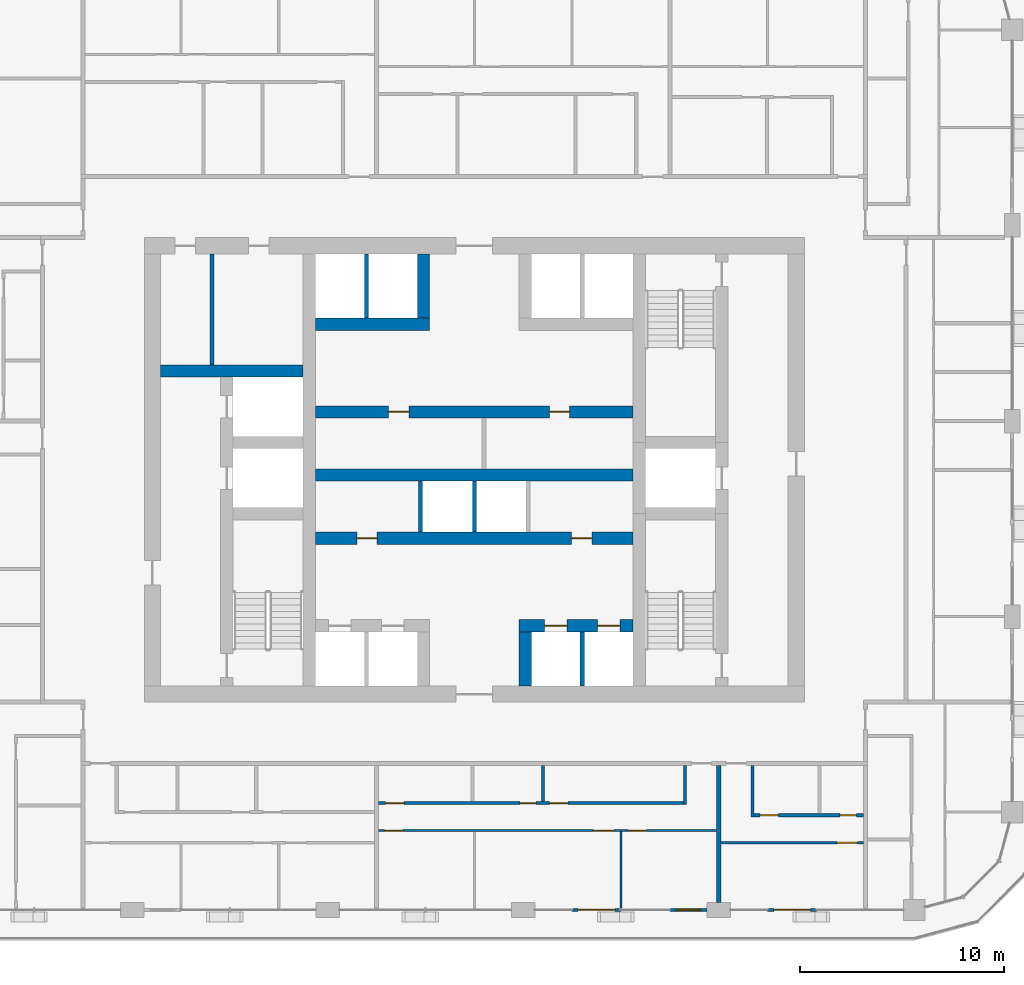
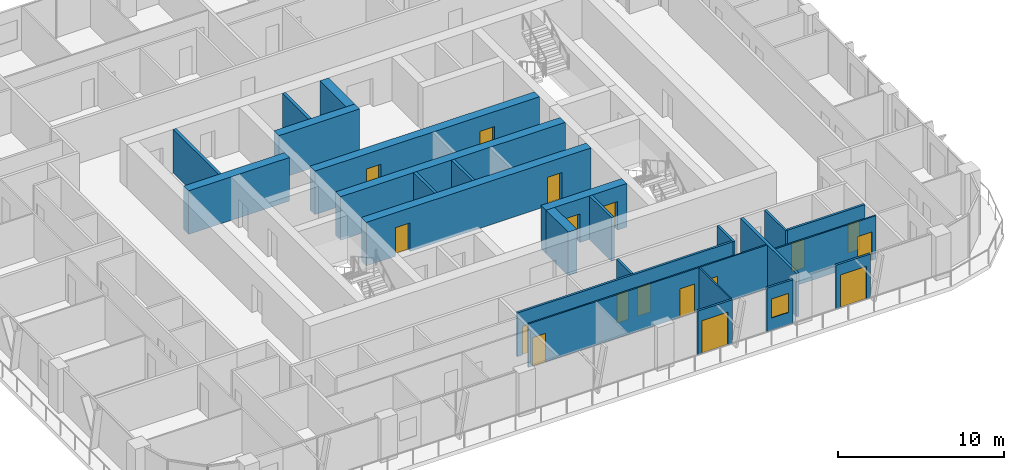
# One storey, part 11 of 22: 25 walls, 17 doors, 1 window, 18 openings.
"""IFC4 building model written with IfcOpenShell, lengths in metres."""

from ifc_helpers import new_model, si_unit, direction, frame, frame_2d, origin, place, context, subcontext, project, spatial, rectangle, extrude, material, layer, layer_set, type_object, element, fill, save


model = new_model("IFC4")

# Units and contexts
model_context = context("Model", 3, precision=1e-05, world=origin(), true_north=direction((0.0, 1.0)))
body_context = subcontext(model_context, "Body", "Model", "MODEL_VIEW")
ifc_project = project(units=[si_unit("LENGTHUNIT", "METRE"), si_unit("AREAUNIT", "SQUARE_METRE"), si_unit("VOLUMEUNIT", "CUBIC_METRE"), si_unit("PLANEANGLEUNIT", "RADIAN"), si_unit("MASSUNIT", "GRAM", prefix="KILO")], contexts=[model_context])

# Site, building, storey
site_placement = place(None, origin())
site = spatial("IfcSite", under=ifc_project, at=site_placement, CompositionType="ELEMENT")
building_placement = place(site_placement, origin())
building = spatial("IfcBuilding", under=site, at=building_placement, Name="Madar Terraces", CompositionType="ELEMENT")
storey_placement = place(building_placement, frame((0.0, 0.0, 119.10009765625)))
storey = spatial("IfcBuildingStorey", under=building, at=storey_placement, Name="L30", CompositionType="ELEMENT", Elevation=119.10009765625)

# Wall
ifc_material_1 = material(Name="Concrete C70/85", Category="concrete")
ifc_layer_1 = layer(ifc_material_1, 0.60009765625)
ifc_layer_set_1 = layer_set([ifc_layer_1], Name="Concrete C70/85 (CIW3 RC wall 600)")
wall_type_1 = type_object("IfcWallType", Name="CIW3 RC wall 600", PredefinedType="SHEAR", material=ifc_layer_set_1)
wall_1_placement = place(storey_placement, frame((15.800048828125, 31.25, 0.0), z_axis=(0.0, 0.0, 1.0), x_axis=(1.0, 0.0, 0.0)))
element("IfcWall", 1, at=wall_1_placement, inside=storey, type_object=wall_type_1, Name="CORE SHAFT WALL", PredefinedType="SHEAR", context=body_context, shape_type="SweptSolid", body=[
    extrude(rectangle(XDim=7.0, YDim=0.60009765625, at=frame_2d((3.5, 0.0))), origin(), (0.0, 0.0, 1.0), 3.199951171875),
])

# Wall, openings, doors
wall_2_placement = place(storey_placement, frame((33.39990234375, 18.75, 0.0), z_axis=(0.0, 0.0, 1.0), x_axis=(1.0, 0.0, 0.0)))
wall_2 = element("IfcWall", 2, at=wall_2_placement, inside=storey, type_object=wall_type_1, Name="CORE SHAFT WALL", PredefinedType="SHEAR", context=body_context, shape_type="SweptSolid", body=[
    extrude(rectangle(XDim=5.60009765625, YDim=0.60009765625, at=frame_2d((2.800048828125, 0.0))), origin(), (0.0, 0.0, 1.0), 3.199951171875),
])
opening_1_placement = place(wall_2_placement, frame((1.25, 0.0, 0.0)))
opening_1 = element("IfcOpeningElement", 3, at=opening_1_placement, cuts=wall_2, Name="Opening LD", PredefinedType="OPENING", context=body_context, shape_type="SweptSolid", body=[
    extrude(rectangle(XDim=1.10009765625, YDim=2.10009765625, at=frame_2d((0.550048828125, 1.050048828125))), frame((0.0, 0.31005859375, 0.0), z_axis=(0.0, -1.0, 0.0), x_axis=(1.0, 0.0, 0.0)), (0.0, 0.0, 1.0), 0.6201171875),
])
opening_2_placement = place(wall_2_placement, frame((3.85009765625, 0.0, 0.0)))
opening_2 = element("IfcOpeningElement", 4, at=opening_2_placement, cuts=wall_2, Name="Opening LD", PredefinedType="OPENING", context=body_context, shape_type="SweptSolid", body=[
    extrude(rectangle(XDim=1.10009765625, YDim=2.10009765625, at=frame_2d((0.550048828125, 1.050048828125))), frame((0.0, 0.31005859375, 0.0), z_axis=(0.0, -1.0, 0.0), x_axis=(1.0, 0.0, 0.0)), (0.0, 0.0, 1.0), 0.6201171875),
])
ifc_material_2 = material(Name="Stainless steel panel", Category="steel")
door_type_1 = type_object("IfcDoorType", Name="Lift landing door 1100 x 2100", OperationType="DOUBLE_DOOR_SLIDING", PredefinedType="DOOR", material=ifc_material_2)
door_1_placement = place(opening_1_placement, origin())
door_1 = element("IfcDoor", 5, at=door_1_placement, inside=storey, type_object=door_type_1, Name="LIFT LANDING DOOR", OperationType="DOUBLE_DOOR_SLIDING", OverallHeight=2.10009765625, OverallWidth=1.10009765625, PredefinedType="DOOR", context=body_context, shape_type="SweptSolid", body=[
    extrude(rectangle(XDim=1.10009765625, YDim=2.10009765625, at=frame_2d((0.550048828125, 1.050048828125))), frame((0.0, 0.02490234375, 0.0), z_axis=(0.0, -1.0, 0.0), x_axis=(1.0, 0.0, 0.0)), (0.0, 0.0, 1.0), 0.050048828125),
])
fill(opening_1, door_1)
door_2_placement = place(opening_2_placement, origin())
door_2 = element("IfcDoor", 6, at=door_2_placement, inside=storey, type_object=door_type_1, Name="LIFT LANDING DOOR", OperationType="DOUBLE_DOOR_SLIDING", OverallHeight=2.10009765625, OverallWidth=1.10009765625, PredefinedType="DOOR", context=body_context, shape_type="SweptSolid", body=[
    extrude(rectangle(XDim=1.10009765625, YDim=2.10009765625, at=frame_2d((0.550048828125, 1.050048828125))), frame((0.0, 0.02490234375, 0.0), z_axis=(0.0, -1.0, 0.0), x_axis=(1.0, 0.0, 0.0)), (0.0, 0.0, 1.0), 0.050048828125),
])
fill(opening_2, door_2)

wall_3_placement = place(storey_placement, frame((23.39990234375, 23.050048828125, 0.0), z_axis=(0.0, 0.0, 1.0), x_axis=(1.0, 0.0, 0.0)))
wall_3 = element("IfcWall", 7, at=wall_3_placement, inside=storey, type_object=wall_type_1, Name="CORE SHAFT WALL", PredefinedType="SHEAR", context=body_context, shape_type="SweptSolid", body=[
    extrude(rectangle(XDim=15.60009765625, YDim=0.60009765625, at=frame_2d((7.800048828125, 0.0))), origin(), (0.0, 0.0, 1.0), 3.199951171875),
])
opening_3_placement = place(wall_3_placement, frame((2.033447265625, 0.0, 0.0)))
opening_3 = element("IfcOpeningElement", 8, at=opening_3_placement, cuts=wall_3, Name="Opening KD2", PredefinedType="OPENING", context=body_context, shape_type="SweptSolid", body=[
    extrude(rectangle(XDim=1.0, YDim=2.10009765625, at=frame_2d((0.5, 1.050048828125))), frame((0.0, 0.31005859375, 0.0), z_axis=(0.0, -1.0, 0.0), x_axis=(1.0, 0.0, 0.0)), (0.0, 0.0, 1.0), 0.6201171875),
])
opening_4_placement = place(wall_3_placement, frame((12.566650390625, 0.0, 0.0)))
opening_4 = element("IfcOpeningElement", 9, at=opening_4_placement, cuts=wall_3, Name="Opening KD2", PredefinedType="OPENING", context=body_context, shape_type="SweptSolid", body=[
    extrude(rectangle(XDim=1.0, YDim=2.10009765625, at=frame_2d((0.5, 1.050048828125))), frame((0.0, 0.31005859375, 0.0), z_axis=(0.0, -1.0, 0.0), x_axis=(1.0, 0.0, 0.0)), (0.0, 0.0, 1.0), 0.6201171875),
])
ifc_material_3 = material(Name="Steel door leaf", Category="steel")
door_type_2 = type_object("IfcDoorType", Name="Service room door 1000 x 2100", OperationType="NOTDEFINED", PredefinedType="DOOR", material=ifc_material_3)
door_3_placement = place(opening_3_placement, frame((1.0, 0.0, 0.0), z_axis=(0.0, 0.0, 1.0), x_axis=(-1.0, 0.0, 0.0)))
door_3 = element("IfcDoor", 10, at=door_3_placement, inside=storey, type_object=door_type_2, Name="SERVICE ROOM DOOR", OperationType="SINGLE_SWING_LEFT", OverallHeight=2.10009765625, OverallWidth=1.0, PredefinedType="DOOR", context=body_context, shape_type="SweptSolid", body=[
    extrude(rectangle(XDim=1.0, YDim=2.10009765625, at=frame_2d((0.5, 1.050048828125))), frame((0.0, 0.02490234375, 0.0), z_axis=(0.0, -1.0, 0.0), x_axis=(1.0, 0.0, 0.0)), (0.0, 0.0, 1.0), 0.050048828125),
])
fill(opening_3, door_3)
door_4_placement = place(opening_4_placement, frame((1.0, 0.0, 0.0), z_axis=(0.0, 0.0, 1.0), x_axis=(-1.0, 0.0, 0.0)))
door_4 = element("IfcDoor", 11, at=door_4_placement, inside=storey, type_object=door_type_2, Name="SERVICE ROOM DOOR", OperationType="SINGLE_SWING_RIGHT", OverallHeight=2.10009765625, OverallWidth=1.0, PredefinedType="DOOR", context=body_context, shape_type="SweptSolid", body=[
    extrude(rectangle(XDim=1.0, YDim=2.10009765625, at=frame_2d((0.5, 1.050048828125))), frame((0.0, 0.02490234375, 0.0), z_axis=(0.0, -1.0, 0.0), x_axis=(1.0, 0.0, 0.0)), (0.0, 0.0, 1.0), 0.050048828125),
])
fill(opening_4, door_4)

# Wall
wall_4_placement = place(storey_placement, frame((23.39990234375, 26.14990234375, 0.0), z_axis=(0.0, 0.0, 1.0), x_axis=(1.0, 0.0, 0.0)))
element("IfcWall", 12, at=wall_4_placement, inside=storey, type_object=wall_type_1, Name="CORE SHAFT WALL", PredefinedType="SHEAR", context=body_context, shape_type="SweptSolid", body=[
    extrude(rectangle(XDim=15.60009765625, YDim=0.60009765625, at=frame_2d((7.800048828125, 0.0))), origin(), (0.0, 0.0, 1.0), 3.199951171875),
])

# Wall, openings, doors
wall_5_placement = place(storey_placement, frame((23.39990234375, 29.25, 0.0), z_axis=(0.0, 0.0, 1.0), x_axis=(1.0, 0.0, 0.0)))
wall_5 = element("IfcWall", 13, at=wall_5_placement, inside=storey, type_object=wall_type_1, Name="CORE SHAFT WALL", PredefinedType="SHEAR", context=body_context, shape_type="SweptSolid", body=[
    extrude(rectangle(XDim=15.60009765625, YDim=0.60009765625, at=frame_2d((7.800048828125, 0.0))), origin(), (0.0, 0.0, 1.0), 3.199951171875),
])
opening_5_placement = place(wall_5_placement, frame((3.583984375, 0.0, 0.0)))
opening_5 = element("IfcOpeningElement", 14, at=opening_5_placement, cuts=wall_5, Name="Opening KD2", PredefinedType="OPENING", context=body_context, shape_type="SweptSolid", body=[
    extrude(rectangle(XDim=1.0, YDim=2.10009765625, at=frame_2d((0.5, 1.050048828125))), frame((0.0, 0.31005859375, 0.0), z_axis=(0.0, -1.0, 0.0), x_axis=(1.0, 0.0, 0.0)), (0.0, 0.0, 1.0), 0.6201171875),
])
opening_6_placement = place(wall_5_placement, frame((11.48388671875, 0.0, 0.0)))
opening_6 = element("IfcOpeningElement", 15, at=opening_6_placement, cuts=wall_5, Name="Opening KD2", PredefinedType="OPENING", context=body_context, shape_type="SweptSolid", body=[
    extrude(rectangle(XDim=1.0, YDim=2.10009765625, at=frame_2d((0.5, 1.050048828125))), frame((0.0, 0.31005859375, 0.0), z_axis=(0.0, -1.0, 0.0), x_axis=(1.0, 0.0, 0.0)), (0.0, 0.0, 1.0), 0.6201171875),
])
door_5_placement = place(opening_5_placement, origin())
door_5 = element("IfcDoor", 16, at=door_5_placement, inside=storey, type_object=door_type_2, Name="SERVICE ROOM DOOR", OperationType="SINGLE_SWING_LEFT", OverallHeight=2.10009765625, OverallWidth=1.0, PredefinedType="DOOR", context=body_context, shape_type="SweptSolid", body=[
    extrude(rectangle(XDim=1.0, YDim=2.10009765625, at=frame_2d((0.5, 1.050048828125))), frame((0.0, 0.02490234375, 0.0), z_axis=(0.0, -1.0, 0.0), x_axis=(1.0, 0.0, 0.0)), (0.0, 0.0, 1.0), 0.050048828125),
])
fill(opening_5, door_5)
door_6_placement = place(opening_6_placement, origin())
door_6 = element("IfcDoor", 17, at=door_6_placement, inside=storey, type_object=door_type_2, Name="SERVICE ROOM DOOR", OperationType="SINGLE_SWING_RIGHT", OverallHeight=2.10009765625, OverallWidth=1.0, PredefinedType="DOOR", context=body_context, shape_type="SweptSolid", body=[
    extrude(rectangle(XDim=1.0, YDim=2.10009765625, at=frame_2d((0.5, 1.050048828125))), frame((0.0, 0.02490234375, 0.0), z_axis=(0.0, -1.0, 0.0), x_axis=(1.0, 0.0, 0.0)), (0.0, 0.0, 1.0), 0.050048828125),
])
fill(opening_6, door_6)

# Walls
wall_6_placement = place(storey_placement, frame((23.39990234375, 33.550048828125, 0.0), z_axis=(0.0, 0.0, 1.0), x_axis=(1.0, 0.0, 0.0)))
element("IfcWall", 18, at=wall_6_placement, inside=storey, type_object=wall_type_1, Name="CORE SHAFT WALL", PredefinedType="SHEAR", context=body_context, shape_type="SweptSolid", body=[
    extrude(rectangle(XDim=5.60009765625, YDim=0.60009765625, at=frame_2d((2.800048828125, 0.0))), origin(), (0.0, 0.0, 1.0), 3.199951171875),
])
wall_7_placement = place(storey_placement, frame((33.699951171875, 15.800048828125, 0.0), z_axis=(0.0, 0.0, 1.0), x_axis=(0.0, 1.0, 0.0)))
element("IfcWall", 19, at=wall_7_placement, inside=storey, type_object=wall_type_1, Name="CORE SHAFT WALL", PredefinedType="SHEAR", context=body_context, shape_type="SweptSolid", body=[
    extrude(rectangle(XDim=2.64990234375, YDim=0.60009765625, at=frame_2d((1.324951171875, 0.0))), origin(), (0.0, 0.0, 1.0), 3.199951171875),
])
wall_8_placement = place(storey_placement, frame((28.699951171875, 33.85009765625, 0.0), z_axis=(0.0, 0.0, 1.0), x_axis=(0.0, 1.0, 0.0)))
element("IfcWall", 20, at=wall_8_placement, inside=storey, type_object=wall_type_1, Name="CORE SHAFT WALL", PredefinedType="SHEAR", context=body_context, shape_type="SweptSolid", body=[
    extrude(rectangle(XDim=3.14990234375, YDim=0.60009765625, at=frame_2d((1.574951171875, 0.0))), origin(), (0.0, 0.0, 1.0), 3.199951171875),
])
ifc_material_4 = material(Name="Masonry blockwork", Category="masonry")
ifc_layer_2 = layer(ifc_material_4, 0.199951171875)
ifc_layer_set_2 = layer_set([ifc_layer_2], Name="Core partition 200 blockwork")
wall_type_2 = type_object("IfcWallType", Name="Core partition 200 blockwork", PredefinedType="PARTITIONING", material=ifc_layer_set_2)
wall_9_placement = place(storey_placement, frame((18.320068359375, 31.550048828125, 0.0), z_axis=(0.0, 0.0, 1.0), x_axis=(0.0, 1.0, 0.0)))
element("IfcWall", 21, at=wall_9_placement, inside=storey, type_object=wall_type_2, Name="SERVICE ROOM PARTITION", PredefinedType="PARTITIONING", context=body_context, shape_type="SweptSolid", body=[
    extrude(rectangle(XDim=5.449951171875, YDim=0.199951171875, at=frame_2d((2.72509765625, 0.0))), origin(), (0.0, 0.0, 1.0), 3.199951171875),
])
ifc_material_5 = material(Name="Concrete C40/50", Category="concrete")
ifc_layer_3 = layer(ifc_material_5, 0.199951171875)
ifc_layer_set_3 = layer_set([ifc_layer_3], Name="Core shaft dividing wall 200 C40/50")
wall_type_3 = type_object("IfcWallType", Name="Core shaft dividing wall 200 C40/50", PredefinedType="SOLIDWALL", material=ifc_layer_set_3)
for number, where, z_axis, x_axis, name in (
    (22, (28.566650390625, 23.35009765625, 0.0), (0.0, 0.0, 1.0), (0.0, 1.0, 0.0), "SHAFT DIVIDING WALL"),
    (23, (31.199951171875, 23.35009765625, 0.0), (0.0, 0.0, 1.0), (0.0, 1.0, 0.0), "SHAFT DIVIDING WALL"),
):
    element("IfcWall", number, at=place(storey_placement, frame(where, z_axis=z_axis, x_axis=x_axis)), inside=storey, type_object=wall_type_3, Name=name, PredefinedType="SOLIDWALL", context=body_context, shape_type="SweptSolid", body=[
        extrude(rectangle(XDim=2.5, YDim=0.199951171875, at=frame_2d((1.25, 0.0))), origin(), (0.0, 0.0, 1.0), 3.199951171875),
    ])
wall_10_placement = place(storey_placement, frame((25.89990234375, 33.85009765625, 0.0), z_axis=(0.0, 0.0, 1.0), x_axis=(0.0, 1.0, 0.0)))
element("IfcWall", 24, at=wall_10_placement, inside=storey, type_object=wall_type_3, Name="SHAFT DIVIDING WALL", PredefinedType="SOLIDWALL", context=body_context, shape_type="SweptSolid", body=[
    extrude(rectangle(XDim=3.14990234375, YDim=0.199951171875, at=frame_2d((1.574951171875, 0.0))), origin(), (0.0, 0.0, 1.0), 3.199951171875),
])
wall_11_placement = place(storey_placement, frame((36.5, 15.800048828125, 0.0), z_axis=(0.0, 0.0, 1.0), x_axis=(0.0, 1.0, 0.0)))
element("IfcWall", 25, at=wall_11_placement, inside=storey, type_object=wall_type_3, Name="SHAFT DIVIDING WALL", PredefinedType="SOLIDWALL", context=body_context, shape_type="SweptSolid", body=[
    extrude(rectangle(XDim=2.64990234375, YDim=0.199951171875, at=frame_2d((1.324951171875, 0.0))), origin(), (0.0, 0.0, 1.0), 3.199951171875),
])

# Wall, opening, door
ifc_material_6 = material(Name="Aluminium composite panel, black, over insulated backing", Category="aluminium")
ifc_layer_4 = layer(ifc_material_6, 0.14990234375)
ifc_layer_set_4 = layer_set([ifc_layer_4], Name="Facade bay panel 150")
wall_type_4 = type_object("IfcWallType", Name="Facade bay panel 150", PredefinedType="SOLIDWALL", material=ifc_layer_set_4)
wall_12_placement = place(storey_placement, frame((36.0, 4.800048828125, 0.0), z_axis=(0.0, 0.0, 1.0), x_axis=(1.0, 0.0, 0.0)))
wall_12 = element("IfcWall", 26, at=wall_12_placement, inside=storey, type_object=wall_type_4, Name="Facade bay panel", PredefinedType="SOLIDWALL", context=body_context, shape_type="SweptSolid", body=[
    extrude(rectangle(XDim=2.39990234375, YDim=0.14990234375, at=frame_2d((1.199951171875, 0.0))), origin(), (0.0, 0.0, 1.0), 3.199951171875),
])
opening_7_placement = place(wall_12_placement, frame((0.300048828125, 0.0, 0.0)))
opening_7 = element("IfcOpeningElement", 27, at=opening_7_placement, cuts=wall_12, Name="Opening ED1", PredefinedType="OPENING", context=body_context, shape_type="SweptSolid", body=[
    extrude(rectangle(XDim=1.800048828125, YDim=2.39990234375, at=frame_2d((0.89990234375, 1.199951171875))), frame((0.0, 0.0849609375, 0.0), z_axis=(0.0, -1.0, 0.0), x_axis=(1.0, 0.0, 0.0)), (0.0, 0.0, 1.0), 0.169921875),
])
ifc_material_7 = material(Name="Glass, clear, with black aluminium frame", Category="aluminium")
door_type_3 = type_object("IfcDoorType", Name="Balcony and terrace sliding door 1800 x 2400", OperationType="SLIDING_TO_LEFT", PredefinedType="DOOR", material=ifc_material_7)
door_7_placement = place(opening_7_placement, origin())
door_7 = element("IfcDoor", 28, at=door_7_placement, inside=storey, type_object=door_type_3, Name="Balcony door", OperationType="SLIDING_TO_LEFT", OverallHeight=2.39990234375, OverallWidth=1.800048828125, PredefinedType="DOOR", context=body_context, shape_type="SweptSolid", body=[
    extrude(rectangle(XDim=1.800048828125, YDim=2.39990234375, at=frame_2d((0.89990234375, 1.199951171875))), frame((0.0, 0.02490234375, 0.0), z_axis=(0.0, -1.0, 0.0), x_axis=(1.0, 0.0, 0.0)), (0.0, 0.0, 1.0), 0.050048828125),
])
fill(opening_7, door_7)

# Wall, opening, window
wall_13_placement = place(storey_placement, frame((40.800048828125, 4.800048828125, 0.0), z_axis=(0.0, 0.0, 1.0), x_axis=(1.0, 0.0, 0.0)))
wall_13 = element("IfcWall", 29, at=wall_13_placement, inside=storey, type_object=wall_type_4, Name="Facade bay panel", PredefinedType="SOLIDWALL", context=body_context, shape_type="SweptSolid", body=[
    extrude(rectangle(XDim=1.824951171875, YDim=0.14990234375, at=frame_2d((0.91259765625, 0.0))), origin(), (0.0, 0.0, 1.0), 3.199951171875),
])
opening_8_placement = place(wall_13_placement, frame((0.3125, 0.0, 0.89990234375)))
opening_8 = element("IfcOpeningElement", 30, at=opening_8_placement, cuts=wall_13, Name="Opening W1", PredefinedType="OPENING", context=body_context, shape_type="SweptSolid", body=[
    extrude(rectangle(XDim=1.199951171875, YDim=1.39990234375, at=frame_2d((0.60009765625, 0.699951171875))), frame((0.0, 0.0849609375, 0.0), z_axis=(0.0, -1.0, 0.0), x_axis=(1.0, 0.0, 0.0)), (0.0, 0.0, 1.0), 0.169921875),
])
ifc_material_8 = material(Name="Glass, clear, with black aluminium frame", Category="aluminium")
window_type = type_object("IfcWindowType", Name="Vent window 1200 x 1400", PartitioningType="SINGLE_PANEL", PredefinedType="WINDOW", material=ifc_material_8)
window_placement = place(opening_8_placement, origin())
window = element("IfcWindow", 31, at=window_placement, inside=storey, type_object=window_type, Name="Operable vent window", OverallHeight=1.39990234375, OverallWidth=1.199951171875, PartitioningType="SINGLE_PANEL", PredefinedType="WINDOW", context=body_context, shape_type="SweptSolid", body=[
    extrude(rectangle(XDim=1.199951171875, YDim=1.39990234375, at=frame_2d((0.60009765625, 0.699951171875))), frame((0.0, 0.030029296875, 0.0), z_axis=(0.0, -1.0, 0.0), x_axis=(1.0, 0.0, 0.0)), (0.0, 0.0, 1.0), 0.06005859375),
])
fill(opening_8, window)

# Wall, opening, door
wall_14_placement = place(storey_placement, frame((45.60009765625, 4.800048828125, 0.0), z_axis=(0.0, 0.0, 1.0), x_axis=(1.0, 0.0, 0.0)))
wall_14 = element("IfcWall", 32, at=wall_14_placement, inside=storey, type_object=wall_type_4, Name="Facade bay panel", PredefinedType="SOLIDWALL", context=body_context, shape_type="SweptSolid", body=[
    extrude(rectangle(XDim=2.39990234375, YDim=0.14990234375, at=frame_2d((1.199951171875, 0.0))), origin(), (0.0, 0.0, 1.0), 3.199951171875),
])
opening_9_placement = place(wall_14_placement, frame((0.300048828125, 0.0, 0.0)))
opening_9 = element("IfcOpeningElement", 33, at=opening_9_placement, cuts=wall_14, Name="Opening ED1", PredefinedType="OPENING", context=body_context, shape_type="SweptSolid", body=[
    extrude(rectangle(XDim=1.800048828125, YDim=2.39990234375, at=frame_2d((0.89990234375, 1.199951171875))), frame((0.0, 0.0849609375, 0.0), z_axis=(0.0, -1.0, 0.0), x_axis=(1.0, 0.0, 0.0)), (0.0, 0.0, 1.0), 0.169921875),
])
door_8_placement = place(opening_9_placement, origin())
door_8 = element("IfcDoor", 34, at=door_8_placement, inside=storey, type_object=door_type_3, Name="Balcony door", OperationType="SLIDING_TO_RIGHT", OverallHeight=2.39990234375, OverallWidth=1.800048828125, PredefinedType="DOOR", context=body_context, shape_type="SweptSolid", body=[
    extrude(rectangle(XDim=1.800048828125, YDim=2.39990234375, at=frame_2d((0.89990234375, 1.199951171875))), frame((0.0, 0.02490234375, 0.0), z_axis=(0.0, -1.0, 0.0), x_axis=(1.0, 0.0, 0.0)), (0.0, 0.0, 1.0), 0.050048828125),
])
fill(opening_9, door_8)

# Wall
ifc_material_9 = material(Name="Gypsum board on steel studs", Category="steel")
ifc_layer_5 = layer(ifc_material_9, 0.10009765625)
ifc_layer_set_5 = layer_set([ifc_layer_5], Name="Flat partition 100")
wall_type_5 = type_object("IfcWallType", Name="Flat partition 100", PredefinedType="PARTITIONING", material=ifc_layer_set_5)
wall_15_placement = place(storey_placement, frame((38.39990234375, 8.64990234375, 0.0), z_axis=(0.0, 0.0, 1.0), x_axis=(0.0, -1.0, 0.0)))
element("IfcWall", 35, at=wall_15_placement, inside=storey, type_object=wall_type_5, Name="Flat partition 100", PredefinedType="PARTITIONING", context=body_context, shape_type="SweptSolid", body=[
    extrude(rectangle(XDim=3.75, YDim=0.10009765625, at=frame_2d((1.875, 0.0))), origin(), (0.0, 0.0, 1.0), 3.199951171875),
])

# Wall, openings, doors
wall_16_placement = place(storey_placement, frame((43.10009765625, 8.699951171875, 0.0), z_axis=(0.0, 0.0, 1.0), x_axis=(-1.0, 0.0, 0.0)))
wall_16 = element("IfcWall", 36, at=wall_16_placement, inside=storey, type_object=wall_type_5, Name="Flat partition 100", PredefinedType="PARTITIONING", context=body_context, shape_type="SweptSolid", body=[
    extrude(rectangle(XDim=16.60009765625, YDim=0.10009765625, at=frame_2d((8.300048828125, 0.0))), origin(), (0.0, 0.0, 1.0), 3.199951171875),
])
opening_10_placement = place(wall_16_placement, frame((3.449951171875, 0.0, 0.0)))
opening_10 = element("IfcOpeningElement", 37, at=opening_10_placement, cuts=wall_16, Name="Opening D2", PredefinedType="OPENING", context=body_context, shape_type="SweptSolid", body=[
    extrude(rectangle(XDim=0.89990234375, YDim=2.10009765625, at=frame_2d((0.449951171875, 1.050048828125))), frame((0.0, 0.06005859375, 0.0), z_axis=(0.0, -1.0, 0.0), x_axis=(1.0, 0.0, 0.0)), (0.0, 0.0, 1.0), 0.1201171875),
])
opening_11_placement = place(wall_16_placement, frame((5.050048828125, 0.0, 0.0)))
opening_11 = element("IfcOpeningElement", 38, at=opening_11_placement, cuts=wall_16, Name="Opening D3", PredefinedType="OPENING", context=body_context, shape_type="SweptSolid", body=[
    extrude(rectangle(XDim=1.0, YDim=2.10009765625, at=frame_2d((0.5, 1.050048828125))), frame((0.0, 0.06005859375, 0.0), z_axis=(0.0, -1.0, 0.0), x_axis=(1.0, 0.0, 0.0)), (0.0, 0.0, 1.0), 0.1201171875),
])
opening_12_placement = place(wall_16_placement, frame((15.39990234375, 0.0, 0.0)))
opening_12 = element("IfcOpeningElement", 39, at=opening_12_placement, cuts=wall_16, Name="Opening D2", PredefinedType="OPENING", context=body_context, shape_type="SweptSolid", body=[
    extrude(rectangle(XDim=0.89990234375, YDim=2.10009765625, at=frame_2d((0.449951171875, 1.050048828125))), frame((0.0, 0.06005859375, 0.0), z_axis=(0.0, -1.0, 0.0), x_axis=(1.0, 0.0, 0.0)), (0.0, 0.0, 1.0), 0.1201171875),
])
ifc_material_10 = material(Name="Timber door leaf", Category="wood")
door_type_4 = type_object("IfcDoorType", Name="Flat living room door 1000", OperationType="NOTDEFINED", PredefinedType="DOOR", material=ifc_material_10)
door_9_placement = place(opening_11_placement, origin())
door_9 = element("IfcDoor", 40, at=door_9_placement, inside=storey, type_object=door_type_4, Name="Flat living room door 1000", OperationType="SINGLE_SWING_LEFT", OverallHeight=2.10009765625, OverallWidth=1.0, PredefinedType="DOOR", context=body_context, shape_type="SweptSolid", body=[
    extrude(rectangle(XDim=1.0, YDim=2.10009765625, at=frame_2d((0.5, 1.050048828125))), frame((0.0, 0.02490234375, 0.0), z_axis=(0.0, -1.0, 0.0), x_axis=(1.0, 0.0, 0.0)), (0.0, 0.0, 1.0), 0.050048828125),
])
fill(opening_11, door_9)
ifc_material_11 = material(Name="Timber door leaf", Category="wood")
door_type_5 = type_object("IfcDoorType", Name="Flat room door 900", OperationType="NOTDEFINED", PredefinedType="DOOR", material=ifc_material_11)
door_10_placement = place(opening_10_placement, origin())
door_10 = element("IfcDoor", 41, at=door_10_placement, inside=storey, type_object=door_type_5, Name="Flat room door 900", OperationType="SINGLE_SWING_RIGHT", OverallHeight=2.10009765625, OverallWidth=0.89990234375, PredefinedType="DOOR", context=body_context, shape_type="SweptSolid", body=[
    extrude(rectangle(XDim=0.89990234375, YDim=2.10009765625, at=frame_2d((0.449951171875, 1.050048828125))), frame((0.0, 0.02490234375, 0.0), z_axis=(0.0, -1.0, 0.0), x_axis=(1.0, 0.0, 0.0)), (0.0, 0.0, 1.0), 0.050048828125),
])
fill(opening_10, door_10)
door_11_placement = place(opening_12_placement, origin())
door_11 = element("IfcDoor", 42, at=door_11_placement, inside=storey, type_object=door_type_5, Name="Flat room door 900", OperationType="SINGLE_SWING_RIGHT", OverallHeight=2.10009765625, OverallWidth=0.89990234375, PredefinedType="DOOR", context=body_context, shape_type="SweptSolid", body=[
    extrude(rectangle(XDim=0.89990234375, YDim=2.10009765625, at=frame_2d((0.449951171875, 1.050048828125))), frame((0.0, 0.02490234375, 0.0), z_axis=(0.0, -1.0, 0.0), x_axis=(1.0, 0.0, 0.0)), (0.0, 0.0, 1.0), 0.050048828125),
])
fill(opening_12, door_11)

# Wall, opening, door
wall_17_placement = place(storey_placement, frame((50.300048828125, 8.10009765625, 0.0), z_axis=(0.0, 0.0, 1.0), x_axis=(-1.0, 0.0, 0.0)))
wall_17 = element("IfcWall", 43, at=wall_17_placement, inside=storey, type_object=wall_type_5, Name="Flat partition 100", PredefinedType="PARTITIONING", context=body_context, shape_type="SweptSolid", body=[
    extrude(rectangle(XDim=7.0, YDim=0.10009765625, at=frame_2d((3.5, 0.0))), origin(), (0.0, 0.0, 1.0), 3.199951171875),
])
opening_13_placement = place(wall_17_placement, frame((0.300048828125, 0.0, 0.0)))
opening_13 = element("IfcOpeningElement", 44, at=opening_13_placement, cuts=wall_17, Name="Opening D3", PredefinedType="OPENING", context=body_context, shape_type="SweptSolid", body=[
    extrude(rectangle(XDim=1.0, YDim=2.10009765625, at=frame_2d((0.5, 1.050048828125))), frame((0.0, 0.06005859375, 0.0), z_axis=(0.0, -1.0, 0.0), x_axis=(1.0, 0.0, 0.0)), (0.0, 0.0, 1.0), 0.1201171875),
])
door_12_placement = place(opening_13_placement, origin())
door_12 = element("IfcDoor", 45, at=door_12_placement, inside=storey, type_object=door_type_4, Name="Flat living room door 1000", OperationType="SINGLE_SWING_LEFT", OverallHeight=2.10009765625, OverallWidth=1.0, PredefinedType="DOOR", context=body_context, shape_type="SweptSolid", body=[
    extrude(rectangle(XDim=1.0, YDim=2.10009765625, at=frame_2d((0.5, 1.050048828125))), frame((0.0, 0.02490234375, 0.0), z_axis=(0.0, -1.0, 0.0), x_axis=(1.0, 0.0, 0.0)), (0.0, 0.0, 1.0), 0.050048828125),
])
fill(opening_13, door_12)

# Walls
ifc_material_12 = material(Name="Lightweight blockwork", Category="masonry")
ifc_layer_6 = layer(ifc_material_12, 0.199951171875)
ifc_layer_set_6 = layer_set([ifc_layer_6], Name="Flat party and entrance wall 200")
wall_type_6 = type_object("IfcWallType", Name="Flat party and entrance wall 200", PredefinedType="PARTITIONING", material=ifc_layer_set_6)
wall_18_placement = place(storey_placement, frame((43.199951171875, 11.89990234375, 0.0), z_axis=(0.0, 0.0, 1.0), x_axis=(0.0, -1.0, 0.0)))
element("IfcWall", 46, at=wall_18_placement, inside=storey, type_object=wall_type_6, Name="Flat party and entrance wall 200", PredefinedType="PARTITIONING", context=body_context, shape_type="SweptSolid", body=[
    extrude(rectangle(XDim=6.724853515625, YDim=0.199951171875, at=frame_2d((3.3623046875, 0.0))), origin(), (0.0, 0.0, 1.0), 3.199951171875),
])
ifc_material_13 = material(Name="Lightweight blockwork", Category="masonry")
ifc_layer_7 = layer(ifc_material_13, 0.14990234375)
ifc_layer_set_7 = layer_set([ifc_layer_7], Name="Flat wet-room partition 150")
wall_type_7 = type_object("IfcWallType", Name="Flat wet-room partition 150", PredefinedType="PARTITIONING", material=ifc_layer_set_7)
wall_19_placement = place(storey_placement, frame((34.5634765625, 11.89990234375, 0.0), z_axis=(0.0, 0.0, 1.0), x_axis=(0.0, -1.0, 0.0)))
element("IfcWall", 47, at=wall_19_placement, inside=storey, type_object=wall_type_7, Name="Flat wet-room partition 150", PredefinedType="PARTITIONING", context=body_context, shape_type="SweptSolid", body=[
    extrude(rectangle(XDim=1.77490234375, YDim=0.14990234375, at=frame_2d((0.887451171875, 0.0))), origin(), (0.0, 0.0, 1.0), 3.199951171875),
])
wall_20_placement = place(storey_placement, frame((41.550048828125, 11.89990234375, 0.0), z_axis=(0.0, 0.0, 1.0), x_axis=(0.0, -1.0, 0.0)))
element("IfcWall", 48, at=wall_20_placement, inside=storey, type_object=wall_type_7, Name="Flat wet-room partition 150", PredefinedType="PARTITIONING", context=body_context, shape_type="SweptSolid", body=[
    extrude(rectangle(XDim=1.9248046875, YDim=0.14990234375, at=frame_2d((0.96240234375, 0.0))), origin(), (0.0, 0.0, 1.0), 3.199951171875),
])

# Wall, openings, doors
wall_21_placement = place(storey_placement, frame((26.5, 10.050048828125, 0.0), z_axis=(0.0, 0.0, 1.0), x_axis=(1.0, 0.0, 0.0)))
wall_21 = element("IfcWall", 49, at=wall_21_placement, inside=storey, type_object=wall_type_7, Name="Flat wet-room partition 150", PredefinedType="PARTITIONING", context=body_context, shape_type="SweptSolid", body=[
    extrude(rectangle(XDim=14.97509765625, YDim=0.14990234375, at=frame_2d((7.487548828125, 0.0))), origin(), (0.0, 0.0, 1.0), 3.199951171875),
])
opening_14_placement = place(wall_21_placement, frame((8.388427734375, 0.0, 0.0)))
opening_14 = element("IfcOpeningElement", 50, at=opening_14_placement, cuts=wall_21, Name="Opening D2", PredefinedType="OPENING", context=body_context, shape_type="SweptSolid", body=[
    extrude(rectangle(XDim=0.89990234375, YDim=2.10009765625, at=frame_2d((0.449951171875, 1.050048828125))), frame((0.0, 0.0849609375, 0.0), z_axis=(0.0, -1.0, 0.0), x_axis=(1.0, 0.0, 0.0)), (0.0, 0.0, 1.0), 0.169921875),
])
opening_15_placement = place(wall_21_placement, frame((6.9384765625, 0.0, 0.0)))
opening_15 = element("IfcOpeningElement", 51, at=opening_15_placement, cuts=wall_21, Name="Opening D4", PredefinedType="OPENING", context=body_context, shape_type="SweptSolid", body=[
    extrude(rectangle(XDim=0.800048828125, YDim=2.10009765625, at=frame_2d((0.39990234375, 1.050048828125))), frame((0.0, 0.0849609375, 0.0), z_axis=(0.0, -1.0, 0.0), x_axis=(1.0, 0.0, 0.0)), (0.0, 0.0, 1.0), 0.169921875),
])
opening_16_placement = place(wall_21_placement, frame((0.35009765625, 0.0, 0.0)))
opening_16 = element("IfcOpeningElement", 52, at=opening_16_placement, cuts=wall_21, Name="Opening D5", PredefinedType="OPENING", context=body_context, shape_type="SweptSolid", body=[
    extrude(rectangle(XDim=0.89990234375, YDim=2.10009765625, at=frame_2d((0.449951171875, 1.050048828125))), frame((0.0, 0.0849609375, 0.0), z_axis=(0.0, -1.0, 0.0), x_axis=(1.0, 0.0, 0.0)), (0.0, 0.0, 1.0), 0.169921875),
])
ifc_material_14 = material(Name="Timber door leaf", Category="wood")
door_type_6 = type_object("IfcDoorType", Name="Flat accessible bathroom door 900", OperationType="NOTDEFINED", PredefinedType="DOOR", material=ifc_material_14)
door_13_placement = place(opening_16_placement, origin())
door_13 = element("IfcDoor", 53, at=door_13_placement, inside=storey, type_object=door_type_6, Name="Flat accessible bathroom door 900", OperationType="SINGLE_SWING_LEFT", OverallHeight=2.10009765625, OverallWidth=0.89990234375, PredefinedType="DOOR", context=body_context, shape_type="SweptSolid", body=[
    extrude(rectangle(XDim=0.89990234375, YDim=2.10009765625, at=frame_2d((0.449951171875, 1.050048828125))), frame((0.0, 0.02490234375, 0.0), z_axis=(0.0, -1.0, 0.0), x_axis=(1.0, 0.0, 0.0)), (0.0, 0.0, 1.0), 0.050048828125),
])
fill(opening_16, door_13)
ifc_material_15 = material(Name="Timber door leaf", Category="wood")
door_type_7 = type_object("IfcDoorType", Name="Flat bathroom door 800", OperationType="NOTDEFINED", PredefinedType="DOOR", material=ifc_material_15)
door_14_placement = place(opening_15_placement, origin())
door_14 = element("IfcDoor", 54, at=door_14_placement, inside=storey, type_object=door_type_7, Name="Flat bathroom door 800", OperationType="SINGLE_SWING_RIGHT", OverallHeight=2.10009765625, OverallWidth=0.800048828125, PredefinedType="DOOR", context=body_context, shape_type="SweptSolid", body=[
    extrude(rectangle(XDim=0.800048828125, YDim=2.10009765625, at=frame_2d((0.39990234375, 1.050048828125))), frame((0.0, 0.02490234375, 0.0), z_axis=(0.0, -1.0, 0.0), x_axis=(1.0, 0.0, 0.0)), (0.0, 0.0, 1.0), 0.050048828125),
])
fill(opening_15, door_14)
door_15_placement = place(opening_14_placement, origin())
door_15 = element("IfcDoor", 55, at=door_15_placement, inside=storey, type_object=door_type_5, Name="Flat room door 900", OperationType="SINGLE_SWING_LEFT", OverallHeight=2.10009765625, OverallWidth=0.89990234375, PredefinedType="DOOR", context=body_context, shape_type="SweptSolid", body=[
    extrude(rectangle(XDim=0.89990234375, YDim=2.10009765625, at=frame_2d((0.449951171875, 1.050048828125))), frame((0.0, 0.02490234375, 0.0), z_axis=(0.0, -1.0, 0.0), x_axis=(1.0, 0.0, 0.0)), (0.0, 0.0, 1.0), 0.050048828125),
])
fill(opening_14, door_15)

# Wall
wall_22_placement = place(storey_placement, frame((44.85009765625, 11.89990234375, 0.0), z_axis=(0.0, 0.0, 1.0), x_axis=(0.0, -1.0, 0.0)))
element("IfcWall", 56, at=wall_22_placement, inside=storey, type_object=wall_type_7, Name="Flat wet-room partition 150", PredefinedType="PARTITIONING", context=body_context, shape_type="SweptSolid", body=[
    extrude(rectangle(XDim=2.52490234375, YDim=0.14990234375, at=frame_2d((1.262451171875, 0.0))), origin(), (0.0, 0.0, 1.0), 3.199951171875),
])

# Wall, openings, doors
wall_23_placement = place(storey_placement, frame((44.925048828125, 9.449951171875, 0.0), z_axis=(0.0, 0.0, 1.0), x_axis=(1.0, 0.0, 0.0)))
wall_23 = element("IfcWall", 57, at=wall_23_placement, inside=storey, type_object=wall_type_7, Name="Flat wet-room partition 150", PredefinedType="PARTITIONING", context=body_context, shape_type="SweptSolid", body=[
    extrude(rectangle(XDim=5.375, YDim=0.14990234375, at=frame_2d((2.6875, 0.0))), origin(), (0.0, 0.0, 1.0), 3.199951171875),
])
opening_17_placement = place(wall_23_placement, frame((0.300048828125, 0.0, 0.0)))
opening_17 = element("IfcOpeningElement", 58, at=opening_17_placement, cuts=wall_23, Name="Opening D2", PredefinedType="OPENING", context=body_context, shape_type="SweptSolid", body=[
    extrude(rectangle(XDim=0.89990234375, YDim=2.10009765625, at=frame_2d((0.449951171875, 1.050048828125))), frame((0.0, 0.0849609375, 0.0), z_axis=(0.0, -1.0, 0.0), x_axis=(1.0, 0.0, 0.0)), (0.0, 0.0, 1.0), 0.169921875),
])
opening_18_placement = place(wall_23_placement, frame((4.22509765625, 0.0, 0.0)))
opening_18 = element("IfcOpeningElement", 59, at=opening_18_placement, cuts=wall_23, Name="Opening D4", PredefinedType="OPENING", context=body_context, shape_type="SweptSolid", body=[
    extrude(rectangle(XDim=0.800048828125, YDim=2.10009765625, at=frame_2d((0.39990234375, 1.050048828125))), frame((0.0, 0.0849609375, 0.0), z_axis=(0.0, -1.0, 0.0), x_axis=(1.0, 0.0, 0.0)), (0.0, 0.0, 1.0), 0.169921875),
])
door_16_placement = place(opening_18_placement, origin())
door_16 = element("IfcDoor", 60, at=door_16_placement, inside=storey, type_object=door_type_7, Name="Flat bathroom door 800", OperationType="SINGLE_SWING_RIGHT", OverallHeight=2.10009765625, OverallWidth=0.800048828125, PredefinedType="DOOR", context=body_context, shape_type="SweptSolid", body=[
    extrude(rectangle(XDim=0.800048828125, YDim=2.10009765625, at=frame_2d((0.39990234375, 1.050048828125))), frame((0.0, 0.02490234375, 0.0), z_axis=(0.0, -1.0, 0.0), x_axis=(1.0, 0.0, 0.0)), (0.0, 0.0, 1.0), 0.050048828125),
])
fill(opening_18, door_16)
door_17_placement = place(opening_17_placement, origin())
door_17 = element("IfcDoor", 61, at=door_17_placement, inside=storey, type_object=door_type_5, Name="Flat room door 900", OperationType="SINGLE_SWING_LEFT", OverallHeight=2.10009765625, OverallWidth=0.89990234375, PredefinedType="DOOR", context=body_context, shape_type="SweptSolid", body=[
    extrude(rectangle(XDim=0.89990234375, YDim=2.10009765625, at=frame_2d((0.449951171875, 1.050048828125))), frame((0.0, 0.02490234375, 0.0), z_axis=(0.0, -1.0, 0.0), x_axis=(1.0, 0.0, 0.0)), (0.0, 0.0, 1.0), 0.050048828125),
])
fill(opening_17, door_17)

save(model, "model.ifc")
